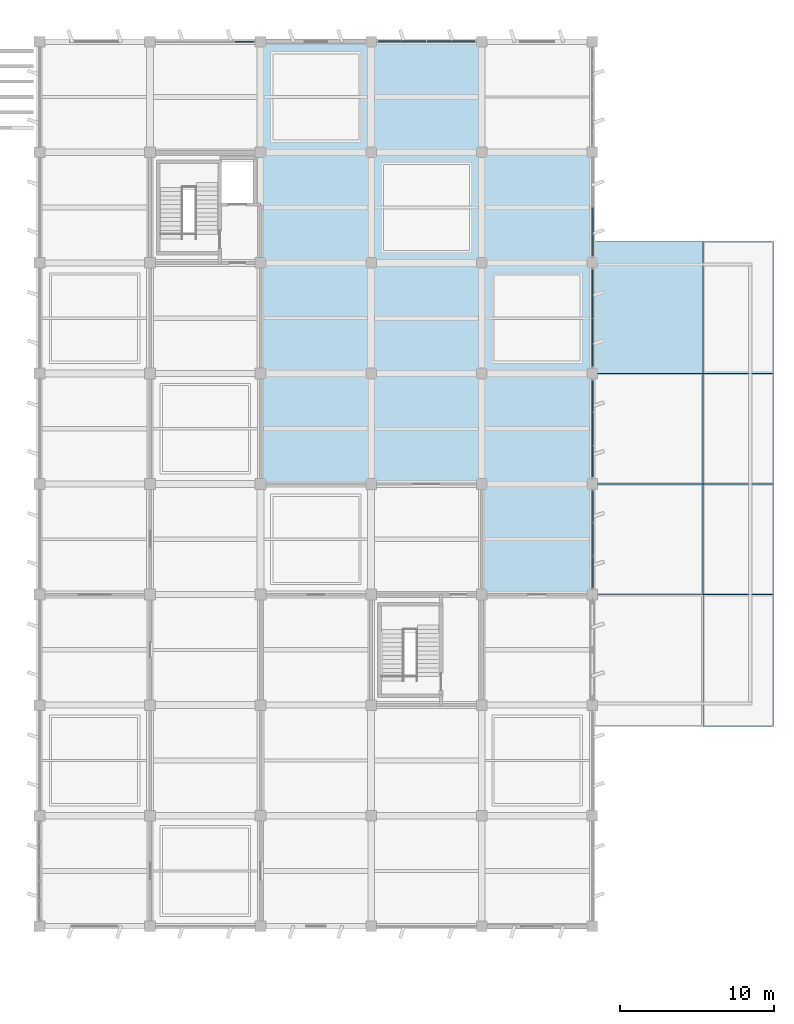
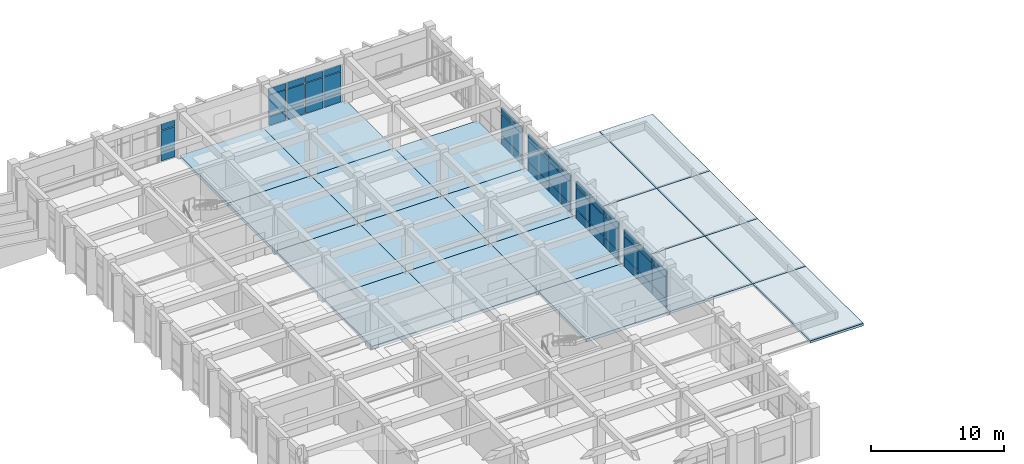
# One storey, part 52 of 81: 42 plates, 19 slabs, 6 elements without a shape of their own.
"""IFC4 building model written with IfcOpenShell, lengths in metres."""

import ifcopenshell
import ifcopenshell.guid

model = None  # the IFC model being written
_history = None  # IfcOwnerHistory: only IFC2X3 demands one
_inside = {}  # id of a spatial element -> (the spatial element, [elements in it])
_under = {}  # id of a project, library or spatial element -> (it, [spatial elements below it])
_declared = {}  # id of a project -> (the project, [libraries it declares])
_typed = {}  # id of a type object -> (the type object, [elements of that type])
_made_of = {}  # id of a material, layer set ... -> (it, [elements and type objects made of it])


def new_model(schema):
    """Start an empty IFC model of exactly this schema.

    Asked for "IFC4X3", IfcOpenShell would pick the latest addendum, in which some entities
    have other attributes; the version numbers below select the first issue.
    IFC2X3 requires an IfcOwnerHistory on every rooted entity: one is made here for all.
    """
    global model, _history
    if schema == "IFC4X3":
        model = ifcopenshell.file(schema_version=(4, 3, 0, 0))
    else:
        model = ifcopenshell.file(schema=schema)
    _inside.clear()
    _under.clear()
    _declared.clear()
    _typed.clear()
    _made_of.clear()
    _history = None
    if model.schema == "IFC2X3":
        org = make("IfcOrganization", Name="unknown")
        user = make(
            "IfcPersonAndOrganization",
            ThePerson=make("IfcPerson", FamilyName="unknown"),
            TheOrganization=org,
        )
        app = make(
            "IfcApplication",
            ApplicationDeveloper=org,
            Version="unknown",
            ApplicationFullName="unknown",
            ApplicationIdentifier="unknown",
        )
        _history = make(
            "IfcOwnerHistory",
            OwningUser=user,
            OwningApplication=app,
            ChangeAction="ADDED",
            CreationDate=0,
        )
    return model


def make(cls, **values):
    """One entity of the class cls with the attributes given. An attribute that is None is left unset."""
    return model.create_entity(
        cls, **{name: value for name, value in values.items() if value is not None}
    )


def rooted(cls, **values):
    """An entity with a GlobalId (a new one), such as an element, a storey or a relation."""
    return make(cls, GlobalId=ifcopenshell.guid.new(), OwnerHistory=_history, **values)


def si_unit(unit_type, name, prefix=None):
    """IfcSIUnit, for example si_unit("LENGTHUNIT", "METRE", prefix="MILLI")."""
    return make("IfcSIUnit", UnitType=unit_type, Prefix=prefix, Name=name)


def assignment(units):
    """IfcUnitAssignment: the units of a project."""
    return None if units is None else make("IfcUnitAssignment", Units=units)


def point(xyz):
    """IfcCartesianPoint."""
    return None if xyz is None else make("IfcCartesianPoint", Coordinates=xyz)


def direction(xyz):
    """IfcDirection."""
    return None if xyz is None else make("IfcDirection", DirectionRatios=xyz)


def frame(location, z_axis=None, x_axis=None):
    """IfcAxis2Placement3D, a coordinate frame: its origin and axes. An axis left out is left unset."""
    return make(
        "IfcAxis2Placement3D",
        Location=point(location),
        Axis=direction(z_axis),
        RefDirection=direction(x_axis),
    )


def frame_2d(location, x_axis=None):
    """IfcAxis2Placement2D, a coordinate frame in the plane: its origin and x axis."""
    return make(
        "IfcAxis2Placement2D", Location=point(location), RefDirection=direction(x_axis)
    )


def origin():
    """The frame at (0, 0, 0) with its axes left unset."""
    return frame((0.0, 0.0, 0.0))


def origin_2d():
    """The frame at (0, 0) in the plane with its x axis left unset."""
    return frame_2d((0.0, 0.0))


def place(relative_to, where):
    """IfcLocalPlacement: puts the frame where relative to a parent placement (None: the world)."""
    return make(
        "IfcLocalPlacement", PlacementRelTo=relative_to, RelativePlacement=where
    )


def context(
    kind, dimensions, precision=None, world=None, true_north=None, identifier=None
):
    """IfcGeometricRepresentationContext, for example the 3D "Model" context."""
    return make(
        "IfcGeometricRepresentationContext",
        ContextIdentifier=identifier,
        ContextType=kind,
        CoordinateSpaceDimension=dimensions,
        Precision=precision,
        WorldCoordinateSystem=world,
        TrueNorth=true_north,
    )


def subcontext(parent, identifier, kind, view, scale=None):
    """IfcGeometricRepresentationSubContext, for example "Body" below "Model"."""
    return make(
        "IfcGeometricRepresentationSubContext",
        ContextIdentifier=identifier,
        ContextType=kind,
        ParentContext=parent,
        TargetScale=scale,
        TargetView=view,
    )


def project(units=None, contexts=None):
    """IfcProject with its units and contexts."""
    return rooted(
        "IfcProject",
        Name="project",
        RepresentationContexts=contexts,
        UnitsInContext=assignment(units),
    )


def spatial(cls, under=None, at=None, **own):
    """A site, building, storey or space (cls), placed at a placement, below another one or the project."""
    s = rooted(cls, ObjectPlacement=at, **own)
    if under is not None:
        _under.setdefault(under.id(), (under, []))[1].append(s)
    return s


def polyline(points):
    """IfcPolyline through the points."""
    return make("IfcPolyline", Points=[point(p) for p in points])


def profile(cls, at=None, kind="AREA", **sizes):
    """A parametric profile (cls). Its sizes go by their IFC names, for example OverallWidth=200.0."""
    return make(cls, ProfileType=kind, Position=at, **sizes)


def rectangle(**sizes):
    """IfcRectangleProfileDef."""
    return profile("IfcRectangleProfileDef", **sizes)


def outline(outer, holes=None, kind="AREA"):
    """IfcArbitraryClosedProfileDef: a profile drawn as a closed curve; with holes, ...WithVoids."""
    if holes is None:
        return make("IfcArbitraryClosedProfileDef", ProfileType=kind, OuterCurve=outer)
    return make(
        "IfcArbitraryProfileDefWithVoids",
        ProfileType=kind,
        OuterCurve=outer,
        InnerCurves=holes,
    )


def extrude(swept, where, along, depth):
    """IfcExtrudedAreaSolid: the profile swept, set in the frame where, extruded along a direction by depth."""
    return make(
        "IfcExtrudedAreaSolid",
        SweptArea=swept,
        Position=where,
        ExtrudedDirection=direction(along),
        Depth=depth,
    )


def shape(context_of_items, identifier, shape_type, items):
    """IfcShapeRepresentation: the items that make up one representation, for example the "Body"."""
    return make(
        "IfcShapeRepresentation",
        ContextOfItems=context_of_items,
        RepresentationIdentifier=identifier,
        RepresentationType=shape_type,
        Items=items,
    )


def material(Name=None, Category=None):
    """IfcMaterial."""
    return make("IfcMaterial", Name=Name, Category=Category)


def layer(
    of_material, thickness, ventilated=None, Name=None, Category=None, Priority=None
):
    """IfcMaterialLayer: one layer of a wall or slab, of a material (None: an air gap)."""
    return make(
        "IfcMaterialLayer",
        Material=of_material,
        LayerThickness=thickness,
        IsVentilated=ventilated,
        Name=Name,
        Category=Category,
        Priority=Priority,
    )


def layer_set(layers, Name=None):
    """IfcMaterialLayerSet."""
    return make("IfcMaterialLayerSet", MaterialLayers=layers, LayerSetName=Name)


def made_of(thing, what):
    """Note that an element or type object is made of a material, layer set ...; save() writes the relation."""
    if what is not None:
        _made_of.setdefault(what.id(), (what, []))[1].append(thing)
    return thing


def type_object(cls, material=None, **own):
    """A type object (cls), such as IfcWallType, which elements share."""
    return made_of(rooted(cls, **own), material)


def element(
    cls,
    number,
    at=None,
    inside=None,
    cuts=None,
    type_object=None,
    material=None,
    context=None,
    identifier="Body",
    shape_type=None,
    held_by="IfcProductDefinitionShape",
    body=None,
    shapes=None,
    **own,
):
    """One element of the class cls, such as IfcWall. Its Tag is "e" and its number.

    at: its placement. inside: the storey or other place that contains it. cuts: it is an
    opening in that element (IfcRelVoidsElement). A single representation is given by context,
    identifier, shape_type and body (its items); several are given by shapes. held_by: the class
    of the entity that holds the representations. save() writes the other relations.
    """
    e = rooted(cls, Tag="e%d" % number, ObjectPlacement=at, **own)
    if body is not None:
        shapes = [shape(context, identifier, shape_type, body)]
    if shapes is not None:
        e.Representation = make(held_by, Representations=shapes)
    if inside is not None:
        _inside.setdefault(inside.id(), (inside, []))[1].append(e)
    if cuts is not None:
        rooted(
            "IfcRelVoidsElement", RelatingBuildingElement=cuts, RelatedOpeningElement=e
        )
    if type_object is not None:
        _typed.setdefault(type_object.id(), (type_object, []))[1].append(e)
    return made_of(e, material)


def aggregate(whole, parts):
    """IfcRelAggregates: a whole, such as a stair, and the parts it consists of."""
    return rooted("IfcRelAggregates", RelatingObject=whole, RelatedObjects=parts)


def save(model, path):
    """Write the relations noted so far, then the file.

    IfcRelAggregates (storeys below a building ...), IfcRelContainedInSpatialStructure (elements
    in a storey), IfcRelDefinesByType, IfcRelAssociatesMaterial and IfcRelDeclares: one each for
    every whole, place, type object, material and project.
    """
    for whole, parts in _under.values():
        aggregate(whole, parts)
    for where, things in _inside.values():
        rooted(
            "IfcRelContainedInSpatialStructure",
            RelatedElements=things,
            RelatingStructure=where,
        )
    for kind, things in _typed.values():
        rooted("IfcRelDefinesByType", RelatedObjects=things, RelatingType=kind)
    for what, things in _made_of.values():
        rooted("IfcRelAssociatesMaterial", RelatedObjects=things, RelatingMaterial=what)
    for by, libraries in _declared.values():
        rooted("IfcRelDeclares", RelatingContext=by, RelatedDefinitions=libraries)
    model.write(path)


model = new_model("IFC4")

# Units and contexts
model_context = context("Model", 3, precision=1e-05, world=origin(), true_north=direction((0.0, 1.0)))
body_context = subcontext(model_context, "Body", "Model", "MODEL_VIEW")
ifc_project = project(units=[si_unit("LENGTHUNIT", "METRE"), si_unit("AREAUNIT", "SQUARE_METRE"), si_unit("VOLUMEUNIT", "CUBIC_METRE"), si_unit("PLANEANGLEUNIT", "RADIAN"), si_unit("MASSUNIT", "GRAM", prefix="KILO")], contexts=[model_context])

# Site, building, storey
site_placement = place(None, origin())
site = spatial("IfcSite", under=ifc_project, at=site_placement, CompositionType="ELEMENT")
building_placement = place(site_placement, origin())
building = spatial("IfcBuilding", under=site, at=building_placement, Name="Kavelor Marine Aquarium", CompositionType="ELEMENT")
storey_placement = place(building_placement, frame((0.0, 0.0, 4.679931640625)))
storey = spatial("IfcBuildingStorey", under=building, at=storey_placement, Name="L01", CompositionType="ELEMENT", Elevation=4.679931640625)

# Curtain wall, plates
ifc_material_1 = material(Name="Thermally Broken Aluminium and Low-E Glass", Category="aluminium")
ifc_layer_1 = layer(ifc_material_1, 0.18798828125)
ifc_layer_set_1 = layer_set([ifc_layer_1], Name="CW-SYS6")
curtain_wall_type_1 = type_object("IfcCurtainWallType", Name="CW-SYS6", PredefinedType="USERDEFINED", material=ifc_layer_set_1)
curtain_wall_1_placement = place(storey_placement, origin())
curtain_wall_1 = element("IfcCurtainWall", 1, at=curtain_wall_1_placement, inside=storey, type_object=curtain_wall_type_1, Name="cw:x:L01:17_15", ObjectType="Curtain Wall", PredefinedType="USERDEFINED")
ifc_material_2 = material(Name="Solar-Control Double Low-E Glazing", Category="glass")
ifc_layer_2 = layer(ifc_material_2, 0.083984375)
ifc_layer_set_2 = layer_set([ifc_layer_2], Name="CWP-30")
plate_type_1 = type_object("IfcPlateType", Name="CWP-30", PredefinedType="CURTAIN_PANEL", material=ifc_layer_set_2)
plate_1_placement = place(storey_placement, frame((131.7490234375, 110.800048828125, 0.074951171875), z_axis=(0.0, 0.0, 1.0), x_axis=(1.0, 0.0, 0.0)))
plate_1 = element("IfcPlate", 2, at=plate_1_placement, type_object=plate_type_1, Name="CW06 panel 5.1", PredefinedType="CURTAIN_PANEL", context=body_context, shape_type="SweptSolid", body=[
    extrude(rectangle(XDim=1.19189453125, YDim=0.083984375, at=origin_2d()), origin(), (0.0, 0.0, 1.0), 0.78759765625),
])
plate_2_placement = place(storey_placement, frame((131.7490234375, 110.800048828125, 0.9375), z_axis=(0.0, 0.0, 1.0), x_axis=(1.0, 0.0, 0.0)))
plate_2 = element("IfcPlate", 3, at=plate_2_placement, type_object=plate_type_1, Name="CW06 panel 5.2", PredefinedType="CURTAIN_PANEL", context=body_context, shape_type="SweptSolid", body=[
    extrude(rectangle(XDim=1.19189453125, YDim=0.083984375, at=origin_2d()), origin(), (0.0, 0.0, 1.0), 1.885009765625),
])
plate_3_placement = place(storey_placement, frame((131.7490234375, 110.800048828125, 2.8974609375), z_axis=(0.0, 0.0, 1.0), x_axis=(1.0, 0.0, 0.0)))
plate_3 = element("IfcPlate", 4, at=plate_3_placement, type_object=plate_type_1, Name="CW06 panel 5.3", PredefinedType="CURTAIN_PANEL", context=body_context, shape_type="SweptSolid", body=[
    extrude(rectangle(XDim=1.19189453125, YDim=0.083984375, at=origin_2d()), origin(), (0.0, 0.0, 1.0), 0.53759765625),
])
aggregate(curtain_wall_1, [plate_1, plate_2, plate_3])

ifc_material_3 = material(Name="Thermally Broken Aluminium and Low-E Glass", Category="aluminium")
ifc_layer_3 = layer(ifc_material_3, 0.30810546875)
ifc_layer_set_3 = layer_set([ifc_layer_3], Name="CW-SYS21")
curtain_wall_type_2 = type_object("IfcCurtainWallType", Name="CW-SYS21", PredefinedType="USERDEFINED", material=ifc_layer_set_3)
curtain_wall_2_placement = place(storey_placement, origin())
curtain_wall_2 = element("IfcCurtainWall", 5, at=curtain_wall_2_placement, inside=storey, type_object=curtain_wall_type_2, Name="cw:y:L01:21_10", ObjectType="Curtain Wall", PredefinedType="USERDEFINED")
ifc_material_4 = material(Name="Laminated Cast Acrylic Viewing Glazing", Category="glass")
ifc_layer_4 = layer(ifc_material_4, 0.090087890625)
ifc_layer_set_4 = layer_set([ifc_layer_4], Name="CWP-33")
plate_type_2 = type_object("IfcPlateType", Name="CWP-33", PredefinedType="CURTAIN_PANEL", material=ifc_layer_set_4)
plate_4_placement = place(storey_placement, frame((154.39990234375, 76.2783203125, 0.06494140625), z_axis=(0.0, 0.0, 1.0), x_axis=(0.0, 1.0, 0.0)))
plate_4 = element("IfcPlate", 6, at=plate_4_placement, type_object=plate_type_2, Name="CW21 panel 1.1", PredefinedType="CURTAIN_PANEL", context=body_context, shape_type="SweptSolid", body=[
    extrude(rectangle(XDim=2.046630859375, YDim=0.090087890625, at=origin_2d()), origin(), (0.0, 0.0, 1.0), 0.802490234375),
])
plate_5_placement = place(storey_placement, frame((154.39990234375, 76.2783203125, 0.9326171875), z_axis=(0.0, 0.0, 1.0), x_axis=(0.0, 1.0, 0.0)))
plate_5 = element("IfcPlate", 7, at=plate_5_placement, type_object=plate_type_2, Name="CW21 panel 1.2", PredefinedType="CURTAIN_PANEL", context=body_context, shape_type="SweptSolid", body=[
    extrude(rectangle(XDim=2.046630859375, YDim=0.090087890625, at=origin_2d()), origin(), (0.0, 0.0, 1.0), 1.875),
])
plate_6_placement = place(storey_placement, frame((154.39990234375, 76.2783203125, 2.87255859375), z_axis=(0.0, 0.0, 1.0), x_axis=(0.0, 1.0, 0.0)))
plate_6 = element("IfcPlate", 8, at=plate_6_placement, type_object=plate_type_2, Name="CW21 panel 1.3", PredefinedType="CURTAIN_PANEL", context=body_context, shape_type="SweptSolid", body=[
    extrude(rectangle(XDim=2.046630859375, YDim=0.090087890625, at=origin_2d()), origin(), (0.0, 0.0, 1.0), 0.552490234375),
])
plate_7_placement = place(storey_placement, frame((154.39990234375, 78.39990234375, 0.06494140625), z_axis=(0.0, 0.0, 1.0), x_axis=(0.0, 1.0, 0.0)))
plate_7 = element("IfcPlate", 9, at=plate_7_placement, type_object=plate_type_2, Name="CW21 panel 2.1", PredefinedType="CURTAIN_PANEL", context=body_context, shape_type="SweptSolid", body=[
    extrude(rectangle(XDim=2.07666015625, YDim=0.090087890625, at=origin_2d()), origin(), (0.0, 0.0, 1.0), 0.802490234375),
])
plate_8_placement = place(storey_placement, frame((154.39990234375, 78.39990234375, 0.9326171875), z_axis=(0.0, 0.0, 1.0), x_axis=(0.0, 1.0, 0.0)))
plate_8 = element("IfcPlate", 10, at=plate_8_placement, type_object=plate_type_2, Name="CW21 panel 2.2", PredefinedType="CURTAIN_PANEL", context=body_context, shape_type="SweptSolid", body=[
    extrude(rectangle(XDim=2.07666015625, YDim=0.090087890625, at=origin_2d()), origin(), (0.0, 0.0, 1.0), 1.875),
])
plate_9_placement = place(storey_placement, frame((154.39990234375, 78.39990234375, 2.87255859375), z_axis=(0.0, 0.0, 1.0), x_axis=(0.0, 1.0, 0.0)))
plate_9 = element("IfcPlate", 11, at=plate_9_placement, type_object=plate_type_2, Name="CW21 panel 2.3", PredefinedType="CURTAIN_PANEL", context=body_context, shape_type="SweptSolid", body=[
    extrude(rectangle(XDim=2.07666015625, YDim=0.090087890625, at=origin_2d()), origin(), (0.0, 0.0, 1.0), 0.552490234375),
])
plate_10_placement = place(storey_placement, frame((154.39990234375, 80.521728515625, 0.06494140625), z_axis=(0.0, 0.0, 1.0), x_axis=(0.0, 1.0, 0.0)))
plate_10 = element("IfcPlate", 12, at=plate_10_placement, type_object=plate_type_2, Name="CW21 panel 3.1", PredefinedType="CURTAIN_PANEL", context=body_context, shape_type="SweptSolid", body=[
    extrude(rectangle(XDim=2.046630859375, YDim=0.090087890625, at=origin_2d()), origin(), (0.0, 0.0, 1.0), 0.802490234375),
])
plate_11_placement = place(storey_placement, frame((154.39990234375, 80.521728515625, 0.9326171875), z_axis=(0.0, 0.0, 1.0), x_axis=(0.0, 1.0, 0.0)))
plate_11 = element("IfcPlate", 13, at=plate_11_placement, type_object=plate_type_2, Name="CW21 panel 3.2", PredefinedType="CURTAIN_PANEL", context=body_context, shape_type="SweptSolid", body=[
    extrude(rectangle(XDim=2.046630859375, YDim=0.090087890625, at=origin_2d()), origin(), (0.0, 0.0, 1.0), 1.875),
])
plate_12_placement = place(storey_placement, frame((154.39990234375, 80.521728515625, 2.87255859375), z_axis=(0.0, 0.0, 1.0), x_axis=(0.0, 1.0, 0.0)))
plate_12 = element("IfcPlate", 14, at=plate_12_placement, type_object=plate_type_2, Name="CW21 panel 3.3", PredefinedType="CURTAIN_PANEL", context=body_context, shape_type="SweptSolid", body=[
    extrude(rectangle(XDim=2.046630859375, YDim=0.090087890625, at=origin_2d()), origin(), (0.0, 0.0, 1.0), 0.552490234375),
])
aggregate(curtain_wall_2, [plate_4, plate_5, plate_6, plate_7, plate_8, plate_9, plate_10, plate_11, plate_12])

ifc_material_5 = material(Name="Thermally Broken Aluminium and Low-E Glass", Category="aluminium")
ifc_layer_5 = layer(ifc_material_5, 0.219970703125)
ifc_layer_set_5 = layer_set([ifc_layer_5], Name="CW-SYS10")
curtain_wall_type_3 = type_object("IfcCurtainWallType", Name="CW-SYS10", PredefinedType="USERDEFINED", material=ifc_layer_set_5)
curtain_wall_3_placement = place(storey_placement, origin())
curtain_wall_3 = element("IfcCurtainWall", 15, at=curtain_wall_3_placement, inside=storey, type_object=curtain_wall_type_3, Name="cw:x:L01:19_15", ObjectType="Curtain Wall", PredefinedType="USERDEFINED")
ifc_material_6 = material(Name="Laminated Cast Acrylic Viewing Glazing", Category="glass")
ifc_layer_6 = layer(ifc_material_6, 0.092041015625)
ifc_layer_set_6 = layer_set([ifc_layer_6], Name="CWP-34")
plate_type_3 = type_object("IfcPlateType", Name="CWP-34", PredefinedType="CURTAIN_PANEL", material=ifc_layer_set_6)
plate_13_placement = place(storey_placement, frame((141.215087890625, 110.800048828125, 0.06005859375), z_axis=(0.0, 0.0, 1.0), x_axis=(1.0, 0.0, 0.0)))
plate_13 = element("IfcPlate", 16, at=plate_13_placement, type_object=plate_type_3, Name="CW10 panel 1.1", PredefinedType="CURTAIN_PANEL", context=body_context, shape_type="SweptSolid", body=[
    extrude(rectangle(XDim=1.489990234375, YDim=0.092041015625, at=origin_2d()), origin(), (0.0, 0.0, 1.0), 0.81005859375),
])
plate_14_placement = place(storey_placement, frame((141.215087890625, 110.800048828125, 0.93017578125), z_axis=(0.0, 0.0, 1.0), x_axis=(1.0, 0.0, 0.0)))
plate_14 = element("IfcPlate", 17, at=plate_14_placement, type_object=plate_type_3, Name="CW10 panel 1.2", PredefinedType="CURTAIN_PANEL", context=body_context, shape_type="SweptSolid", body=[
    extrude(rectangle(XDim=1.489990234375, YDim=0.092041015625, at=origin_2d()), origin(), (0.0, 0.0, 1.0), 1.89990234375),
])
plate_15_placement = place(storey_placement, frame((141.215087890625, 110.800048828125, 2.89013671875), z_axis=(0.0, 0.0, 1.0), x_axis=(1.0, 0.0, 0.0)))
plate_15 = element("IfcPlate", 18, at=plate_15_placement, type_object=plate_type_3, Name="CW10 panel 1.3", PredefinedType="CURTAIN_PANEL", context=body_context, shape_type="SweptSolid", body=[
    extrude(rectangle(XDim=1.489990234375, YDim=0.092041015625, at=origin_2d()), origin(), (0.0, 0.0, 1.0), 0.56005859375),
])
plate_16_placement = place(storey_placement, frame((142.798828125, 110.800048828125, 0.06005859375), z_axis=(0.0, 0.0, 1.0), x_axis=(1.0, 0.0, 0.0)))
plate_16 = element("IfcPlate", 19, at=plate_16_placement, type_object=plate_type_3, Name="CW10 panel 2.1", PredefinedType="CURTAIN_PANEL", context=body_context, shape_type="SweptSolid", body=[
    extrude(rectangle(XDim=1.527587890625, YDim=0.092041015625, at=origin_2d()), origin(), (0.0, 0.0, 1.0), 0.81005859375),
])
plate_17_placement = place(storey_placement, frame((142.798828125, 110.800048828125, 0.93017578125), z_axis=(0.0, 0.0, 1.0), x_axis=(1.0, 0.0, 0.0)))
plate_17 = element("IfcPlate", 20, at=plate_17_placement, type_object=plate_type_3, Name="CW10 panel 2.2", PredefinedType="CURTAIN_PANEL", context=body_context, shape_type="SweptSolid", body=[
    extrude(rectangle(XDim=1.527587890625, YDim=0.092041015625, at=origin_2d()), origin(), (0.0, 0.0, 1.0), 1.89990234375),
])
plate_18_placement = place(storey_placement, frame((142.798828125, 110.800048828125, 2.89013671875), z_axis=(0.0, 0.0, 1.0), x_axis=(1.0, 0.0, 0.0)))
plate_18 = element("IfcPlate", 21, at=plate_18_placement, type_object=plate_type_3, Name="CW10 panel 2.3", PredefinedType="CURTAIN_PANEL", context=body_context, shape_type="SweptSolid", body=[
    extrude(rectangle(XDim=1.527587890625, YDim=0.092041015625, at=origin_2d()), origin(), (0.0, 0.0, 1.0), 0.56005859375),
])
plate_19_placement = place(storey_placement, frame((144.4013671875, 110.800048828125, 0.06005859375), z_axis=(0.0, 0.0, 1.0), x_axis=(1.0, 0.0, 0.0)))
plate_19 = element("IfcPlate", 22, at=plate_19_placement, type_object=plate_type_3, Name="CW10 panel 3.1", PredefinedType="CURTAIN_PANEL", context=body_context, shape_type="SweptSolid", body=[
    extrude(rectangle(XDim=1.527587890625, YDim=0.092041015625, at=origin_2d()), origin(), (0.0, 0.0, 1.0), 0.81005859375),
])
plate_20_placement = place(storey_placement, frame((144.4013671875, 110.800048828125, 0.93017578125), z_axis=(0.0, 0.0, 1.0), x_axis=(1.0, 0.0, 0.0)))
plate_20 = element("IfcPlate", 23, at=plate_20_placement, type_object=plate_type_3, Name="CW10 panel 3.2", PredefinedType="CURTAIN_PANEL", context=body_context, shape_type="SweptSolid", body=[
    extrude(rectangle(XDim=1.527587890625, YDim=0.092041015625, at=origin_2d()), origin(), (0.0, 0.0, 1.0), 1.89990234375),
])
plate_21_placement = place(storey_placement, frame((144.4013671875, 110.800048828125, 2.89013671875), z_axis=(0.0, 0.0, 1.0), x_axis=(1.0, 0.0, 0.0)))
plate_21 = element("IfcPlate", 24, at=plate_21_placement, type_object=plate_type_3, Name="CW10 panel 3.3", PredefinedType="CURTAIN_PANEL", context=body_context, shape_type="SweptSolid", body=[
    extrude(rectangle(XDim=1.527587890625, YDim=0.092041015625, at=origin_2d()), origin(), (0.0, 0.0, 1.0), 0.56005859375),
])
plate_22_placement = place(storey_placement, frame((145.985107421875, 110.800048828125, 0.06005859375), z_axis=(0.0, 0.0, 1.0), x_axis=(1.0, 0.0, 0.0)))
plate_22 = element("IfcPlate", 25, at=plate_22_placement, type_object=plate_type_3, Name="CW10 panel 4.1", PredefinedType="CURTAIN_PANEL", context=body_context, shape_type="SweptSolid", body=[
    extrude(rectangle(XDim=1.489990234375, YDim=0.092041015625, at=origin_2d()), origin(), (0.0, 0.0, 1.0), 0.81005859375),
])
plate_23_placement = place(storey_placement, frame((145.985107421875, 110.800048828125, 0.93017578125), z_axis=(0.0, 0.0, 1.0), x_axis=(1.0, 0.0, 0.0)))
plate_23 = element("IfcPlate", 26, at=plate_23_placement, type_object=plate_type_3, Name="CW10 panel 4.2", PredefinedType="CURTAIN_PANEL", context=body_context, shape_type="SweptSolid", body=[
    extrude(rectangle(XDim=1.489990234375, YDim=0.092041015625, at=origin_2d()), origin(), (0.0, 0.0, 1.0), 1.89990234375),
])
plate_24_placement = place(storey_placement, frame((145.985107421875, 110.800048828125, 2.89013671875), z_axis=(0.0, 0.0, 1.0), x_axis=(1.0, 0.0, 0.0)))
plate_24 = element("IfcPlate", 27, at=plate_24_placement, type_object=plate_type_3, Name="CW10 panel 4.3", PredefinedType="CURTAIN_PANEL", context=body_context, shape_type="SweptSolid", body=[
    extrude(rectangle(XDim=1.489990234375, YDim=0.092041015625, at=origin_2d()), origin(), (0.0, 0.0, 1.0), 0.56005859375),
])
aggregate(curtain_wall_3, [plate_13, plate_14, plate_15, plate_16, plate_17, plate_18, plate_19, plate_20, plate_21, plate_22, plate_23, plate_24])

ifc_material_7 = material(Name="Thermally Broken Aluminium and Low-E Glass", Category="aluminium")
ifc_layer_7 = layer(ifc_material_7, 0.31591796875)
ifc_layer_set_7 = layer_set([ifc_layer_7], Name="CW-SYS22")
curtain_wall_type_4 = type_object("IfcCurtainWallType", Name="CW-SYS22", PredefinedType="USERDEFINED", material=ifc_layer_set_7)
curtain_wall_4_placement = place(storey_placement, origin())
curtain_wall_4 = element("IfcCurtainWall", 28, at=curtain_wall_4_placement, inside=storey, type_object=curtain_wall_type_4, Name="cw:y:L01:21_11", ObjectType="Curtain Wall", PredefinedType="USERDEFINED")
plate_25_placement = place(storey_placement, frame((154.39990234375, 83.482177734375, 0.06005859375), z_axis=(0.0, 0.0, 1.0), x_axis=(0.0, 1.0, 0.0)))
plate_25 = element("IfcPlate", 29, at=plate_25_placement, type_object=plate_type_3, Name="CW22 panel 1.1", PredefinedType="CURTAIN_PANEL", context=body_context, shape_type="SweptSolid", body=[
    extrude(rectangle(XDim=2.024169921875, YDim=0.092041015625, at=origin_2d()), origin(), (0.0, 0.0, 1.0), 0.81005859375),
])
plate_26_placement = place(storey_placement, frame((154.39990234375, 83.482177734375, 0.93017578125), z_axis=(0.0, 0.0, 1.0), x_axis=(0.0, 1.0, 0.0)))
plate_26 = element("IfcPlate", 30, at=plate_26_placement, type_object=plate_type_3, Name="CW22 panel 1.2", PredefinedType="CURTAIN_PANEL", context=body_context, shape_type="SweptSolid", body=[
    extrude(rectangle(XDim=2.024169921875, YDim=0.092041015625, at=origin_2d()), origin(), (0.0, 0.0, 1.0), 1.89990234375),
])
plate_27_placement = place(storey_placement, frame((154.39990234375, 83.482177734375, 2.89013671875), z_axis=(0.0, 0.0, 1.0), x_axis=(0.0, 1.0, 0.0)))
plate_27 = element("IfcPlate", 31, at=plate_27_placement, type_object=plate_type_3, Name="CW22 panel 1.3", PredefinedType="CURTAIN_PANEL", context=body_context, shape_type="SweptSolid", body=[
    extrude(rectangle(XDim=2.024169921875, YDim=0.092041015625, at=origin_2d()), origin(), (0.0, 0.0, 1.0), 0.56005859375),
])
plate_28_placement = place(storey_placement, frame((154.39990234375, 85.60009765625, 0.06005859375), z_axis=(0.0, 0.0, 1.0), x_axis=(0.0, 1.0, 0.0)))
plate_28 = element("IfcPlate", 32, at=plate_28_placement, type_object=plate_type_3, Name="CW22 panel 2.1", PredefinedType="CURTAIN_PANEL", context=body_context, shape_type="SweptSolid", body=[
    extrude(rectangle(XDim=2.061767578125, YDim=0.092041015625, at=origin_2d()), origin(), (0.0, 0.0, 1.0), 0.81005859375),
])
plate_29_placement = place(storey_placement, frame((154.39990234375, 85.60009765625, 0.93017578125), z_axis=(0.0, 0.0, 1.0), x_axis=(0.0, 1.0, 0.0)))
plate_29 = element("IfcPlate", 33, at=plate_29_placement, type_object=plate_type_3, Name="CW22 panel 2.2", PredefinedType="CURTAIN_PANEL", context=body_context, shape_type="SweptSolid", body=[
    extrude(rectangle(XDim=2.061767578125, YDim=0.092041015625, at=origin_2d()), origin(), (0.0, 0.0, 1.0), 1.89990234375),
])
plate_30_placement = place(storey_placement, frame((154.39990234375, 85.60009765625, 2.89013671875), z_axis=(0.0, 0.0, 1.0), x_axis=(0.0, 1.0, 0.0)))
plate_30 = element("IfcPlate", 34, at=plate_30_placement, type_object=plate_type_3, Name="CW22 panel 2.3", PredefinedType="CURTAIN_PANEL", context=body_context, shape_type="SweptSolid", body=[
    extrude(rectangle(XDim=2.061767578125, YDim=0.092041015625, at=origin_2d()), origin(), (0.0, 0.0, 1.0), 0.56005859375),
])
plate_31_placement = place(storey_placement, frame((154.39990234375, 87.718017578125, 0.06005859375), z_axis=(0.0, 0.0, 1.0), x_axis=(0.0, 1.0, 0.0)))
plate_31 = element("IfcPlate", 35, at=plate_31_placement, type_object=plate_type_3, Name="CW22 panel 3.1", PredefinedType="CURTAIN_PANEL", context=body_context, shape_type="SweptSolid", body=[
    extrude(rectangle(XDim=2.024169921875, YDim=0.092041015625, at=origin_2d()), origin(), (0.0, 0.0, 1.0), 0.81005859375),
])
plate_32_placement = place(storey_placement, frame((154.39990234375, 87.718017578125, 0.93017578125), z_axis=(0.0, 0.0, 1.0), x_axis=(0.0, 1.0, 0.0)))
plate_32 = element("IfcPlate", 36, at=plate_32_placement, type_object=plate_type_3, Name="CW22 panel 3.2", PredefinedType="CURTAIN_PANEL", context=body_context, shape_type="SweptSolid", body=[
    extrude(rectangle(XDim=2.024169921875, YDim=0.092041015625, at=origin_2d()), origin(), (0.0, 0.0, 1.0), 1.89990234375),
])
plate_33_placement = place(storey_placement, frame((154.39990234375, 87.718017578125, 2.89013671875), z_axis=(0.0, 0.0, 1.0), x_axis=(0.0, 1.0, 0.0)))
plate_33 = element("IfcPlate", 37, at=plate_33_placement, type_object=plate_type_3, Name="CW22 panel 3.3", PredefinedType="CURTAIN_PANEL", context=body_context, shape_type="SweptSolid", body=[
    extrude(rectangle(XDim=2.024169921875, YDim=0.092041015625, at=origin_2d()), origin(), (0.0, 0.0, 1.0), 0.56005859375),
])
aggregate(curtain_wall_4, [plate_25, plate_26, plate_27, plate_28, plate_29, plate_30, plate_31, plate_32, plate_33])

ifc_material_8 = material(Name="Thermally Broken Aluminium and Low-E Glass", Category="aluminium")
ifc_layer_8 = layer(ifc_material_8, 0.323974609375)
ifc_layer_set_8 = layer_set([ifc_layer_8], Name="CW-SYS23")
curtain_wall_type_5 = type_object("IfcCurtainWallType", Name="CW-SYS23", PredefinedType="USERDEFINED", material=ifc_layer_set_8)
curtain_wall_5_placement = place(storey_placement, origin())
curtain_wall_5 = element("IfcCurtainWall", 38, at=curtain_wall_5_placement, inside=storey, type_object=curtain_wall_type_5, Name="cw:y:L01:21_12", ObjectType="Curtain Wall", PredefinedType="USERDEFINED")
ifc_material_9 = material(Name="Laminated Cast Acrylic Viewing Glazing", Category="glass")
ifc_layer_9 = layer(ifc_material_9, 0.093994140625)
ifc_layer_set_9 = layer_set([ifc_layer_9], Name="CWP-35")
plate_type_4 = type_object("IfcPlateType", Name="CWP-35", PredefinedType="CURTAIN_PANEL", material=ifc_layer_set_9)
plate_34_placement = place(storey_placement, frame((154.39990234375, 91.2138671875, 0.06005859375), z_axis=(0.0, 0.0, 1.0), x_axis=(0.0, 1.0, 0.0)))
plate_34 = element("IfcPlate", 39, at=plate_34_placement, type_object=plate_type_4, Name="CW23 panel 1.1", PredefinedType="CURTAIN_PANEL", context=body_context, shape_type="SweptSolid", body=[
    extrude(rectangle(XDim=3.107421875, YDim=0.093994140625, at=origin_2d()), origin(), (0.0, 0.0, 1.0), 0.81005859375),
])
plate_35_placement = place(storey_placement, frame((154.39990234375, 91.2138671875, 0.93017578125), z_axis=(0.0, 0.0, 1.0), x_axis=(0.0, 1.0, 0.0)))
plate_35 = element("IfcPlate", 40, at=plate_35_placement, type_object=plate_type_4, Name="CW23 panel 1.2", PredefinedType="CURTAIN_PANEL", context=body_context, shape_type="SweptSolid", body=[
    extrude(rectangle(XDim=3.107421875, YDim=0.093994140625, at=origin_2d()), origin(), (0.0, 0.0, 1.0), 1.8798828125),
])
plate_36_placement = place(storey_placement, frame((154.39990234375, 91.2138671875, 2.8701171875), z_axis=(0.0, 0.0, 1.0), x_axis=(0.0, 1.0, 0.0)))
plate_36 = element("IfcPlate", 41, at=plate_36_placement, type_object=plate_type_4, Name="CW23 panel 1.3", PredefinedType="CURTAIN_PANEL", context=body_context, shape_type="SweptSolid", body=[
    extrude(rectangle(XDim=3.107421875, YDim=0.093994140625, at=origin_2d()), origin(), (0.0, 0.0, 1.0), 0.56005859375),
])
plate_37_placement = place(storey_placement, frame((154.39990234375, 94.38623046875, 0.06005859375), z_axis=(0.0, 0.0, 1.0), x_axis=(0.0, 1.0, 0.0)))
plate_37 = element("IfcPlate", 42, at=plate_37_placement, type_object=plate_type_4, Name="CW23 panel 2.1", PredefinedType="CURTAIN_PANEL", context=body_context, shape_type="SweptSolid", body=[
    extrude(rectangle(XDim=3.107421875, YDim=0.093994140625, at=origin_2d()), origin(), (0.0, 0.0, 1.0), 0.81005859375),
])
plate_38_placement = place(storey_placement, frame((154.39990234375, 94.38623046875, 0.93017578125), z_axis=(0.0, 0.0, 1.0), x_axis=(0.0, 1.0, 0.0)))
plate_38 = element("IfcPlate", 43, at=plate_38_placement, type_object=plate_type_4, Name="CW23 panel 2.2", PredefinedType="CURTAIN_PANEL", context=body_context, shape_type="SweptSolid", body=[
    extrude(rectangle(XDim=3.107421875, YDim=0.093994140625, at=origin_2d()), origin(), (0.0, 0.0, 1.0), 1.8798828125),
])
plate_39_placement = place(storey_placement, frame((154.39990234375, 94.38623046875, 2.8701171875), z_axis=(0.0, 0.0, 1.0), x_axis=(0.0, 1.0, 0.0)))
plate_39 = element("IfcPlate", 44, at=plate_39_placement, type_object=plate_type_4, Name="CW23 panel 2.3", PredefinedType="CURTAIN_PANEL", context=body_context, shape_type="SweptSolid", body=[
    extrude(rectangle(XDim=3.107421875, YDim=0.093994140625, at=origin_2d()), origin(), (0.0, 0.0, 1.0), 0.56005859375),
])
aggregate(curtain_wall_5, [plate_34, plate_35, plate_36, plate_37, plate_38, plate_39])

ifc_material_10 = material(Name="Thermally Broken Aluminium and Low-E Glass", Category="aluminium")
ifc_layer_10 = layer(ifc_material_10, 0.33203125)
ifc_layer_set_10 = layer_set([ifc_layer_10], Name="CW-SYS24")
curtain_wall_type_6 = type_object("IfcCurtainWallType", Name="CW-SYS24", PredefinedType="USERDEFINED", material=ifc_layer_set_10)
curtain_wall_6_placement = place(storey_placement, origin())
curtain_wall_6 = element("IfcCurtainWall", 45, at=curtain_wall_6_placement, inside=storey, type_object=curtain_wall_type_6, Name="cw:y:L01:21_13", ObjectType="Curtain Wall", PredefinedType="USERDEFINED")
ifc_material_11 = material(Name="Laminated Cast Acrylic Viewing Glazing", Category="glass")
ifc_layer_11 = layer(ifc_material_11, 0.095947265625)
ifc_layer_set_11 = layer_set([ifc_layer_11], Name="CWP-36")
plate_type_5 = type_object("IfcPlateType", Name="CWP-36", PredefinedType="CURTAIN_PANEL", material=ifc_layer_set_11)
plate_40_placement = place(storey_placement, frame((154.39990234375, 98.41259765625, 0.074951171875), z_axis=(0.0, 0.0, 1.0), x_axis=(0.0, 1.0, 0.0)))
plate_40 = element("IfcPlate", 46, at=plate_40_placement, type_object=plate_type_5, Name="CW24 panel 1.1", PredefinedType="CURTAIN_PANEL", context=body_context, shape_type="SweptSolid", body=[
    extrude(rectangle(XDim=3.114990234375, YDim=0.095947265625, at=origin_2d()), origin(), (0.0, 0.0, 1.0), 0.78759765625),
])
plate_41_placement = place(storey_placement, frame((154.39990234375, 98.41259765625, 0.9375), z_axis=(0.0, 0.0, 1.0), x_axis=(0.0, 1.0, 0.0)))
plate_41 = element("IfcPlate", 47, at=plate_41_placement, type_object=plate_type_5, Name="CW24 panel 1.2", PredefinedType="CURTAIN_PANEL", context=body_context, shape_type="SweptSolid", body=[
    extrude(rectangle(XDim=3.114990234375, YDim=0.095947265625, at=origin_2d()), origin(), (0.0, 0.0, 1.0), 1.885009765625),
])
plate_42_placement = place(storey_placement, frame((154.39990234375, 98.41259765625, 2.8974609375), z_axis=(0.0, 0.0, 1.0), x_axis=(0.0, 1.0, 0.0)))
plate_42 = element("IfcPlate", 48, at=plate_42_placement, type_object=plate_type_5, Name="CW24 panel 1.3", PredefinedType="CURTAIN_PANEL", context=body_context, shape_type="SweptSolid", body=[
    extrude(rectangle(XDim=3.114990234375, YDim=0.095947265625, at=origin_2d()), origin(), (0.0, 0.0, 1.0), 0.53759765625),
])
aggregate(curtain_wall_6, [plate_40, plate_41, plate_42])

# Slabs
ifc_material_12 = material(Name="Concrete C40/50", Category="concrete")
ifc_layer_12 = layer(ifc_material_12, 0.300048828125)
ifc_layer_set_12 = layer_set([ifc_layer_12], Name="SL-FL1")
slab_type_1 = type_object("IfcSlabType", Name="SL-FL1", PredefinedType="FLOOR", material=ifc_layer_set_12)
slab_1_placement = place(storey_placement, frame((0.0, 0.0, -0.300048828125)))
element("IfcSlab", 49, at=slab_1_placement, inside=storey, type_object=slab_type_1, Name="slab:L01:18_11", PredefinedType="FLOOR", context=body_context, shape_type="SweptSolid", body=[
    extrude(outline(polyline([(132.800048828125, 82.0), (140.0, 82.0), (140.0, 89.199951171875), (132.800048828125, 89.199951171875), (132.800048828125, 82.0)])), origin(), (0.0, 0.0, 1.0), 0.300048828125),
])
slab_2_placement = place(storey_placement, frame((0.0, 0.0, -0.300048828125)))
element("IfcSlab", 50, at=slab_2_placement, inside=storey, type_object=slab_type_1, Name="slab:L01:18_12", PredefinedType="FLOOR", context=body_context, shape_type="SweptSolid", body=[
    extrude(outline(polyline([(132.800048828125, 89.199951171875), (140.0, 89.199951171875), (140.0, 96.39990234375), (132.800048828125, 96.39990234375), (132.800048828125, 89.199951171875)])), origin(), (0.0, 0.0, 1.0), 0.300048828125),
])
slab_3_placement = place(storey_placement, frame((0.0, 0.0, -0.300048828125)))
element("IfcSlab", 51, at=slab_3_placement, inside=storey, type_object=slab_type_1, Name="slab:L01:18_13", PredefinedType="FLOOR", context=body_context, shape_type="SweptSolid", body=[
    extrude(outline(polyline([(132.800048828125, 96.39990234375), (140.0, 96.39990234375), (140.0, 103.60009765625), (132.800048828125, 103.60009765625), (132.800048828125, 96.39990234375)])), origin(), (0.0, 0.0, 1.0), 0.300048828125),
])
slab_4_placement = place(storey_placement, frame((0.0, 0.0, -0.300048828125)))
element("IfcSlab", 52, at=slab_4_placement, inside=storey, type_object=slab_type_1, Name="slab:L01:18_14", PredefinedType="FLOOR", context=body_context, shape_type="SweptSolid", body=[
    extrude(outline(polyline([(132.800048828125, 103.60009765625), (140.0, 103.60009765625), (140.0, 110.800048828125), (132.800048828125, 110.800048828125), (132.800048828125, 103.60009765625)])), origin(), (0.0, 0.0, 1.0), 0.300048828125),
])
slab_5_placement = place(storey_placement, frame((0.0, 0.0, -0.300048828125)))
element("IfcSlab", 53, at=slab_5_placement, inside=storey, type_object=slab_type_1, Name="slab:L01:19_11", PredefinedType="FLOOR", context=body_context, shape_type="SweptSolid", body=[
    extrude(outline(polyline([(140.0, 82.0), (147.199951171875, 82.0), (147.199951171875, 89.199951171875), (140.0, 89.199951171875), (140.0, 82.0)])), origin(), (0.0, 0.0, 1.0), 0.300048828125),
])
slab_6_placement = place(storey_placement, frame((0.0, 0.0, -0.300048828125)))
element("IfcSlab", 54, at=slab_6_placement, inside=storey, type_object=slab_type_1, Name="slab:L01:19_12", PredefinedType="FLOOR", context=body_context, shape_type="SweptSolid", body=[
    extrude(outline(polyline([(140.0, 89.199951171875), (147.199951171875, 89.199951171875), (147.199951171875, 96.39990234375), (140.0, 96.39990234375), (140.0, 89.199951171875)])), origin(), (0.0, 0.0, 1.0), 0.300048828125),
])
slab_7_placement = place(storey_placement, frame((0.0, 0.0, -0.300048828125)))
element("IfcSlab", 55, at=slab_7_placement, inside=storey, type_object=slab_type_1, Name="slab:L01:19_13", PredefinedType="FLOOR", context=body_context, shape_type="SweptSolid", body=[
    extrude(outline(polyline([(140.0, 96.39990234375), (147.199951171875, 96.39990234375), (147.199951171875, 103.60009765625), (140.0, 103.60009765625), (140.0, 96.39990234375)])), origin(), (0.0, 0.0, 1.0), 0.300048828125),
])
slab_8_placement = place(storey_placement, frame((0.0, 0.0, -0.300048828125)))
element("IfcSlab", 56, at=slab_8_placement, inside=storey, type_object=slab_type_1, Name="slab:L01:19_14", PredefinedType="FLOOR", context=body_context, shape_type="SweptSolid", body=[
    extrude(outline(polyline([(140.0, 103.60009765625), (147.199951171875, 103.60009765625), (147.199951171875, 110.800048828125), (140.0, 110.800048828125), (140.0, 103.60009765625)])), origin(), (0.0, 0.0, 1.0), 0.300048828125),
])
slab_9_placement = place(storey_placement, frame((0.0, 0.0, -0.300048828125)))
element("IfcSlab", 57, at=slab_9_placement, inside=storey, type_object=slab_type_1, Name="slab:L01:20_10", PredefinedType="FLOOR", context=body_context, shape_type="SweptSolid", body=[
    extrude(outline(polyline([(147.199951171875, 74.800048828125), (154.39990234375, 74.800048828125), (154.39990234375, 82.0), (147.199951171875, 82.0), (147.199951171875, 74.800048828125)])), origin(), (0.0, 0.0, 1.0), 0.300048828125),
])
slab_10_placement = place(storey_placement, frame((0.0, 0.0, -0.300048828125)))
element("IfcSlab", 58, at=slab_10_placement, inside=storey, type_object=slab_type_1, Name="slab:L01:20_11", PredefinedType="FLOOR", context=body_context, shape_type="SweptSolid", body=[
    extrude(outline(polyline([(147.199951171875, 82.0), (154.39990234375, 82.0), (154.39990234375, 89.199951171875), (147.199951171875, 89.199951171875), (147.199951171875, 82.0)])), origin(), (0.0, 0.0, 1.0), 0.300048828125),
])
slab_11_placement = place(storey_placement, frame((0.0, 0.0, -0.300048828125)))
element("IfcSlab", 59, at=slab_11_placement, inside=storey, type_object=slab_type_1, Name="slab:L01:20_12", PredefinedType="FLOOR", context=body_context, shape_type="SweptSolid", body=[
    extrude(outline(polyline([(147.199951171875, 89.199951171875), (154.39990234375, 89.199951171875), (154.39990234375, 96.39990234375), (147.199951171875, 96.39990234375), (147.199951171875, 89.199951171875)])), origin(), (0.0, 0.0, 1.0), 0.300048828125),
])
slab_12_placement = place(storey_placement, frame((0.0, 0.0, -0.300048828125)))
element("IfcSlab", 60, at=slab_12_placement, inside=storey, type_object=slab_type_1, Name="slab:L01:20_13", PredefinedType="FLOOR", context=body_context, shape_type="SweptSolid", body=[
    extrude(outline(polyline([(147.199951171875, 96.39990234375), (154.39990234375, 96.39990234375), (154.39990234375, 103.60009765625), (147.199951171875, 103.60009765625), (147.199951171875, 96.39990234375)])), origin(), (0.0, 0.0, 1.0), 0.300048828125),
])
ifc_material_13 = material(Name="Concrete C40/50", Category="concrete")
ifc_layer_13 = layer(ifc_material_13, 0.219970703125)
ifc_layer_set_13 = layer_set([ifc_layer_13], Name="SL-RF3")
slab_type_2 = type_object("IfcSlabType", Name="SL-RF3", PredefinedType="ROOF", material=ifc_layer_set_13)
slab_13_placement = place(storey_placement, frame((0.0, 0.0, -0.219970703125)))
element("IfcSlab", 61, at=slab_13_placement, inside=storey, type_object=slab_type_2, Name="roof:L01:21_10", PredefinedType="ROOF", context=body_context, shape_type="SweptSolid", body=[
    extrude(outline(polyline([(154.39990234375, 74.800048828125), (161.60009765625, 74.800048828125), (161.60009765625, 82.0), (154.39990234375, 82.0), (154.39990234375, 74.800048828125)])), origin(), (0.0, 0.0, 1.0), 0.219970703125),
])
slab_14_placement = place(storey_placement, frame((0.0, 0.0, -0.219970703125)))
element("IfcSlab", 62, at=slab_14_placement, inside=storey, type_object=slab_type_2, Name="roof:L01:21_11", PredefinedType="ROOF", context=body_context, shape_type="SweptSolid", body=[
    extrude(outline(polyline([(154.39990234375, 82.0), (161.60009765625, 82.0), (161.60009765625, 89.199951171875), (154.39990234375, 89.199951171875), (154.39990234375, 82.0)])), origin(), (0.0, 0.0, 1.0), 0.219970703125),
])
slab_15_placement = place(storey_placement, frame((0.0, 0.0, -0.219970703125)))
element("IfcSlab", 63, at=slab_15_placement, inside=storey, type_object=slab_type_2, Name="roof:L01:21_12", PredefinedType="ROOF", context=body_context, shape_type="SweptSolid", body=[
    extrude(outline(polyline([(154.39990234375, 89.199951171875), (161.60009765625, 89.199951171875), (161.60009765625, 97.800048828125), (154.39990234375, 97.800048828125), (154.39990234375, 89.199951171875)])), origin(), (0.0, 0.0, 1.0), 0.219970703125),
])
slab_16_placement = place(storey_placement, frame((0.0, 0.0, -0.219970703125)))
element("IfcSlab", 64, at=slab_16_placement, inside=storey, type_object=slab_type_2, Name="roof:L01:22_09", PredefinedType="ROOF", context=body_context, shape_type="SweptSolid", body=[
    extrude(outline(polyline([(161.60009765625, 66.199951171875), (166.199951171875, 66.199951171875), (166.199951171875, 74.800048828125), (161.60009765625, 74.800048828125), (161.60009765625, 66.199951171875)])), origin(), (0.0, 0.0, 1.0), 0.219970703125),
])
slab_17_placement = place(storey_placement, frame((0.0, 0.0, -0.219970703125)))
element("IfcSlab", 65, at=slab_17_placement, inside=storey, type_object=slab_type_2, Name="roof:L01:22_10", PredefinedType="ROOF", context=body_context, shape_type="SweptSolid", body=[
    extrude(outline(polyline([(161.60009765625, 74.800048828125), (166.199951171875, 74.800048828125), (166.199951171875, 82.0), (161.60009765625, 82.0), (161.60009765625, 74.800048828125)])), origin(), (0.0, 0.0, 1.0), 0.219970703125),
])
slab_18_placement = place(storey_placement, frame((0.0, 0.0, -0.219970703125)))
element("IfcSlab", 66, at=slab_18_placement, inside=storey, type_object=slab_type_2, Name="roof:L01:22_11", PredefinedType="ROOF", context=body_context, shape_type="SweptSolid", body=[
    extrude(outline(polyline([(161.60009765625, 82.0), (166.199951171875, 82.0), (166.199951171875, 89.199951171875), (161.60009765625, 89.199951171875), (161.60009765625, 82.0)])), origin(), (0.0, 0.0, 1.0), 0.219970703125),
])
slab_19_placement = place(storey_placement, frame((0.0, 0.0, -0.219970703125)))
element("IfcSlab", 67, at=slab_19_placement, inside=storey, type_object=slab_type_2, Name="roof:L01:22_12", PredefinedType="ROOF", context=body_context, shape_type="SweptSolid", body=[
    extrude(outline(polyline([(161.60009765625, 89.199951171875), (166.199951171875, 89.199951171875), (166.199951171875, 97.800048828125), (161.60009765625, 97.800048828125), (161.60009765625, 89.199951171875)])), origin(), (0.0, 0.0, 1.0), 0.219970703125),
])

save(model, "model.ifc")
